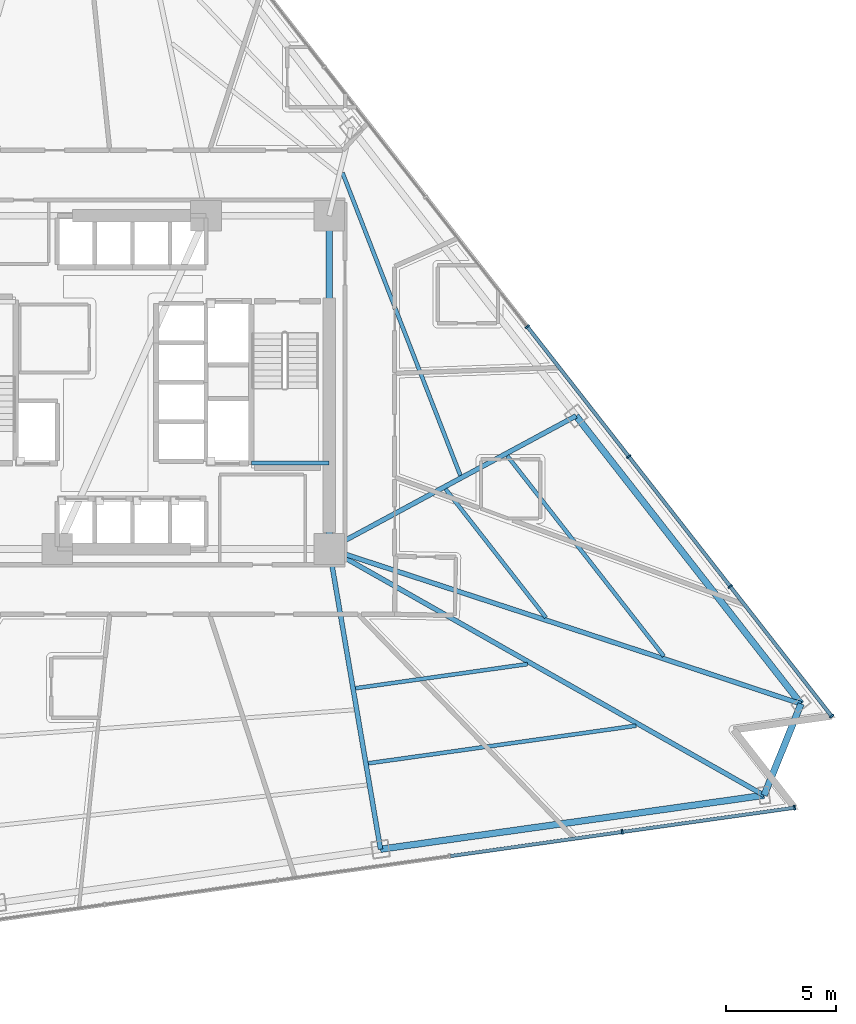
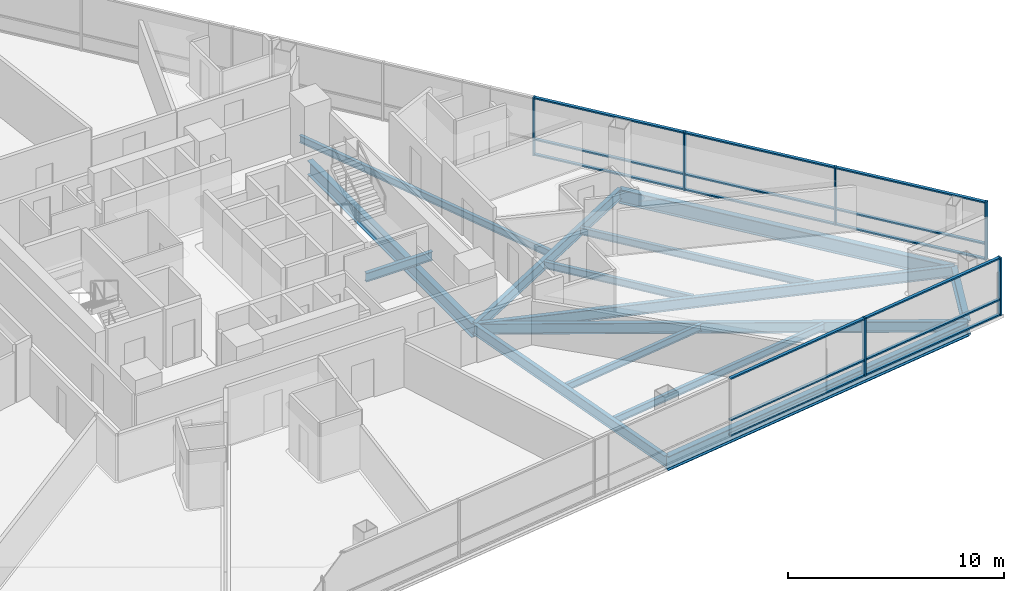
# One storey, part 4 of 15: 21 members, 14 beams, 2 elements without a shape of their own.
"""IFC4 building model written with IfcOpenShell, lengths in metres."""

from ifc_helpers import new_model, si_unit, direction, frame, origin, origin_2d, place, context, subcontext, project, spatial, rectangle, i_section, extrude, material, layer, layer_set, material_profile, profile_set, type_object, element, aggregate, save


model = new_model("IFC4")

# Units and contexts
model_context = context("Model", 3, precision=1e-05, world=origin(), true_north=direction((0.0, 1.0)))
body_context = subcontext(model_context, "Body", "Model", "MODEL_VIEW")
ifc_project = project(units=[si_unit("LENGTHUNIT", "METRE"), si_unit("AREAUNIT", "SQUARE_METRE"), si_unit("VOLUMEUNIT", "CUBIC_METRE"), si_unit("PLANEANGLEUNIT", "RADIAN"), si_unit("MASSUNIT", "GRAM", prefix="KILO")], contexts=[model_context])

# Site, building, storey
site_placement = place(None, origin())
site = spatial("IfcSite", under=ifc_project, at=site_placement, CompositionType="ELEMENT")
building_placement = place(site_placement, origin())
building = spatial("IfcBuilding", under=site, at=building_placement, Name="Tharavind Bronze Gate", CompositionType="ELEMENT")
storey_placement = place(building_placement, frame((0.0, 0.0, 63.85009765625)))
storey = spatial("IfcBuildingStorey", under=building, at=storey_placement, Name="L15", CompositionType="ELEMENT", Elevation=63.85009765625)

# Curtain wall, members
ifc_material_1 = material(Name="Anodised Bronze Aluminium", Category="aluminium")
ifc_layer = layer(ifc_material_1, 0.219970703125)
ifc_layer_set = layer_set([ifc_layer], Name="Anodised Bronze Aluminium")
curtain_wall_type = type_object("IfcCurtainWallType", Name="UNITISED CURTAIN WALL HOTEL", PredefinedType="USERDEFINED", material=ifc_layer_set)
curtain_wall_1_placement = place(storey_placement, origin())
curtain_wall_1 = element("IfcCurtainWall", 1, at=curtain_wall_1_placement, inside=storey, type_object=curtain_wall_type, Name="L15 unitised curtain wall hotel CW-L15-S2", ObjectType="UNITISED CURTAIN WALL", PredefinedType="USERDEFINED")
member_type_1 = type_object("IfcMemberType", Name="CURTAIN WALL MULLION 80X220", PredefinedType="MULLION", material=ifc_material_1)
member_1_placement = place(storey_placement, frame((22.261474609375, -20.504638671875, 0.0), z_axis=(0.0, 0.0, 1.0), x_axis=(0.990268068742, 0.13917310096, 0.0)))
member_1 = element("IfcMember", 2, at=member_1_placement, type_object=member_type_1, Name="CW-L15-S2 mullion 7", PredefinedType="MULLION", context=body_context, shape_type="SweptSolid", body=[
    extrude(rectangle(XDim=0.080078125, YDim=0.219970703125, at=origin_2d()), origin(), (0.0, 0.0, 1.0), 3.27490234375),
])
member_2_placement = place(storey_placement, frame((30.127685546875, -19.399169921875, 0.0), z_axis=(0.0, 0.0, 1.0), x_axis=(0.990268068742, 0.13917310096, 0.0)))
member_2 = element("IfcMember", 3, at=member_2_placement, type_object=member_type_1, Name="CW-L15-S2 mullion 8", PredefinedType="MULLION", context=body_context, shape_type="SweptSolid", body=[
    extrude(rectangle(XDim=0.080078125, YDim=0.219970703125, at=origin_2d()), origin(), (0.0, 0.0, 1.0), 3.27490234375),
])

curtain_wall_2_placement = place(storey_placement, origin())
curtain_wall_2 = element("IfcCurtainWall", 4, at=curtain_wall_2_placement, inside=storey, type_object=curtain_wall_type, Name="L15 unitised curtain wall hotel CW-L15-S3", ObjectType="UNITISED CURTAIN WALL", PredefinedType="USERDEFINED")
member_3_placement = place(storey_placement, frame((31.8134765625, -15.226806640625, 0.0), z_axis=(0.0, 0.0, 1.0), x_axis=(-0.615661475326, 0.788010753607, 0.0)))
member_3 = element("IfcMember", 5, at=member_3_placement, type_object=member_type_1, Name="CW-L15-S3 mullion 1", PredefinedType="MULLION", context=body_context, shape_type="SweptSolid", body=[
    extrude(rectangle(XDim=0.080078125, YDim=0.219970703125, at=origin_2d()), origin(), (0.0, 0.0, 1.0), 3.27490234375),
])
member_4_placement = place(storey_placement, frame((27.186767578125, -9.3046875, 0.0), z_axis=(0.0, 0.0, 1.0), x_axis=(-0.615661475326, 0.788010753607, 0.0)))
member_4 = element("IfcMember", 6, at=member_4_placement, type_object=member_type_1, Name="CW-L15-S3 mullion 2", PredefinedType="MULLION", context=body_context, shape_type="SweptSolid", body=[
    extrude(rectangle(XDim=0.080078125, YDim=0.219970703125, at=origin_2d()), origin(), (0.0, 0.0, 1.0), 3.27490234375),
])
member_5_placement = place(storey_placement, frame((22.56005859375, -3.3828125, 0.0), z_axis=(0.0, 0.0, 1.0), x_axis=(-0.615661475326, 0.788010753607, 0.0)))
member_5 = element("IfcMember", 7, at=member_5_placement, type_object=member_type_1, Name="CW-L15-S3 mullion 3", PredefinedType="MULLION", context=body_context, shape_type="SweptSolid", body=[
    extrude(rectangle(XDim=0.080078125, YDim=0.219970703125, at=origin_2d()), origin(), (0.0, 0.0, 1.0), 3.27490234375),
])
member_6_placement = place(storey_placement, frame((17.933349609375, 2.5390625, 0.0), z_axis=(0.0, 0.0, 1.0), x_axis=(-0.615661475326, 0.788010753607, 0.0)))
member_6 = element("IfcMember", 8, at=member_6_placement, type_object=member_type_1, Name="CW-L15-S3 mullion 4", PredefinedType="MULLION", context=body_context, shape_type="SweptSolid", body=[
    extrude(rectangle(XDim=0.080078125, YDim=0.219970703125, at=origin_2d()), origin(), (0.0, 0.0, 1.0), 3.27490234375),
])

# Member
member_type_2 = type_object("IfcMemberType", Name="CURTAIN WALL TRANSOM 80X160", PredefinedType="USERDEFINED", material=ifc_material_1)
member_7_placement = place(storey_placement, frame((18.328369140625, -21.057373046875, -0.000244140625), z_axis=(0.0, 0.0, 1.0), x_axis=(0.990268068742, 0.13917310096, 0.0)))
member_7 = element("IfcMember", 9, at=member_7_placement, type_object=member_type_2, Name="CW-L15-S2 transom TB6", ObjectType="TRANSOM", PredefinedType="USERDEFINED", context=body_context, shape_type="SweptSolid", body=[
    extrude(rectangle(XDim=7.87548828125, YDim=0.159912109375, at=origin_2d()), origin(), (0.0, 0.0, 1.0), 0.080078125),
])

member_8_placement = place(storey_placement, frame((18.328369140625, -21.057373046875, 0.85986328125), z_axis=(0.0, 0.0, 1.0), x_axis=(0.990268068742, 0.13917310096, 0.0)))
member_8 = element("IfcMember", 10, at=member_8_placement, type_object=member_type_2, Name="CW-L15-S2 transom TS6", ObjectType="TRANSOM", PredefinedType="USERDEFINED", context=body_context, shape_type="SweptSolid", body=[
    extrude(rectangle(XDim=7.87548828125, YDim=0.159912109375, at=origin_2d()), origin(), (0.0, 0.0, 1.0), 0.080078125),
])

member_9_placement = place(storey_placement, frame((18.328369140625, -21.057373046875, 3.19482421875), z_axis=(0.0, 0.0, 1.0), x_axis=(0.990268068742, 0.13917310096, 0.0)))
member_9 = element("IfcMember", 11, at=member_9_placement, type_object=member_type_2, Name="CW-L15-S2 transom TT6", ObjectType="TRANSOM", PredefinedType="USERDEFINED", context=body_context, shape_type="SweptSolid", body=[
    extrude(rectangle(XDim=7.87548828125, YDim=0.159912109375, at=origin_2d()), origin(), (0.0, 0.0, 1.0), 0.080078125),
])

member_10_placement = place(storey_placement, frame((26.194580078125, -19.951904296875, -0.000244140625), z_axis=(0.0, 0.0, 1.0), x_axis=(0.990268068742, 0.13917310096, 0.0)))
member_10 = element("IfcMember", 12, at=member_10_placement, type_object=member_type_2, Name="CW-L15-S2 transom TB7", ObjectType="TRANSOM", PredefinedType="USERDEFINED", context=body_context, shape_type="SweptSolid", body=[
    extrude(rectangle(XDim=7.87548828125, YDim=0.159912109375, at=origin_2d()), origin(), (0.0, 0.0, 1.0), 0.080078125),
])

member_11_placement = place(storey_placement, frame((26.194580078125, -19.951904296875, 0.85986328125), z_axis=(0.0, 0.0, 1.0), x_axis=(0.990268068742, 0.13917310096, 0.0)))
member_11 = element("IfcMember", 13, at=member_11_placement, type_object=member_type_2, Name="CW-L15-S2 transom TS7", ObjectType="TRANSOM", PredefinedType="USERDEFINED", context=body_context, shape_type="SweptSolid", body=[
    extrude(rectangle(XDim=7.87548828125, YDim=0.159912109375, at=origin_2d()), origin(), (0.0, 0.0, 1.0), 0.080078125),
])

member_12_placement = place(storey_placement, frame((26.194580078125, -19.951904296875, 3.19482421875), z_axis=(0.0, 0.0, 1.0), x_axis=(0.990268068742, 0.13917310096, 0.0)))
member_12 = element("IfcMember", 14, at=member_12_placement, type_object=member_type_2, Name="CW-L15-S2 transom TT7", ObjectType="TRANSOM", PredefinedType="USERDEFINED", context=body_context, shape_type="SweptSolid", body=[
    extrude(rectangle(XDim=7.87548828125, YDim=0.159912109375, at=origin_2d()), origin(), (0.0, 0.0, 1.0), 0.080078125),
])

aggregate(curtain_wall_1, [member_1, member_2, member_7, member_8, member_9, member_10, member_11, member_12])

member_13_placement = place(storey_placement, frame((29.5, -12.265869140625, -0.000244140625), z_axis=(0.0, 0.0, 1.0), x_axis=(-0.615661475326, 0.788010753607, 0.0)))
member_13 = element("IfcMember", 15, at=member_13_placement, type_object=member_type_2, Name="CW-L15-S3 transom TB1", ObjectType="TRANSOM", PredefinedType="USERDEFINED", context=body_context, shape_type="SweptSolid", body=[
    extrude(rectangle(XDim=7.447021484375, YDim=0.159912109375, at=origin_2d()), origin(), (0.0, 0.0, 1.0), 0.080078125),
])

member_14_placement = place(storey_placement, frame((29.5, -12.265869140625, 0.85986328125), z_axis=(0.0, 0.0, 1.0), x_axis=(-0.615661475326, 0.788010753607, 0.0)))
member_14 = element("IfcMember", 16, at=member_14_placement, type_object=member_type_2, Name="CW-L15-S3 transom TS1", ObjectType="TRANSOM", PredefinedType="USERDEFINED", context=body_context, shape_type="SweptSolid", body=[
    extrude(rectangle(XDim=7.447021484375, YDim=0.159912109375, at=origin_2d()), origin(), (0.0, 0.0, 1.0), 0.080078125),
])

member_15_placement = place(storey_placement, frame((29.5, -12.265869140625, 3.19482421875), z_axis=(0.0, 0.0, 1.0), x_axis=(-0.615661475326, 0.788010753607, 0.0)))
member_15 = element("IfcMember", 17, at=member_15_placement, type_object=member_type_2, Name="CW-L15-S3 transom TT1", ObjectType="TRANSOM", PredefinedType="USERDEFINED", context=body_context, shape_type="SweptSolid", body=[
    extrude(rectangle(XDim=7.447021484375, YDim=0.159912109375, at=origin_2d()), origin(), (0.0, 0.0, 1.0), 0.080078125),
])

member_16_placement = place(storey_placement, frame((24.873291015625, -6.343994140625, -0.000244140625), z_axis=(0.0, 0.0, 1.0), x_axis=(-0.615661475326, 0.788010753607, 0.0)))
member_16 = element("IfcMember", 18, at=member_16_placement, type_object=member_type_2, Name="CW-L15-S3 transom TB2", ObjectType="TRANSOM", PredefinedType="USERDEFINED", context=body_context, shape_type="SweptSolid", body=[
    extrude(rectangle(XDim=7.447021484375, YDim=0.159912109375, at=origin_2d()), origin(), (0.0, 0.0, 1.0), 0.080078125),
])

member_17_placement = place(storey_placement, frame((24.873291015625, -6.343994140625, 0.85986328125), z_axis=(0.0, 0.0, 1.0), x_axis=(-0.615661475326, 0.788010753607, 0.0)))
member_17 = element("IfcMember", 19, at=member_17_placement, type_object=member_type_2, Name="CW-L15-S3 transom TS2", ObjectType="TRANSOM", PredefinedType="USERDEFINED", context=body_context, shape_type="SweptSolid", body=[
    extrude(rectangle(XDim=7.447021484375, YDim=0.159912109375, at=origin_2d()), origin(), (0.0, 0.0, 1.0), 0.080078125),
])

member_18_placement = place(storey_placement, frame((24.873291015625, -6.343994140625, 3.19482421875), z_axis=(0.0, 0.0, 1.0), x_axis=(-0.615661475326, 0.788010753607, 0.0)))
member_18 = element("IfcMember", 20, at=member_18_placement, type_object=member_type_2, Name="CW-L15-S3 transom TT2", ObjectType="TRANSOM", PredefinedType="USERDEFINED", context=body_context, shape_type="SweptSolid", body=[
    extrude(rectangle(XDim=7.447021484375, YDim=0.159912109375, at=origin_2d()), origin(), (0.0, 0.0, 1.0), 0.080078125),
])

member_19_placement = place(storey_placement, frame((20.24658203125, -0.421875, -0.000244140625), z_axis=(0.0, 0.0, 1.0), x_axis=(-0.615661475326, 0.788010753607, 0.0)))
member_19 = element("IfcMember", 21, at=member_19_placement, type_object=member_type_2, Name="CW-L15-S3 transom TB3", ObjectType="TRANSOM", PredefinedType="USERDEFINED", context=body_context, shape_type="SweptSolid", body=[
    extrude(rectangle(XDim=7.447021484375, YDim=0.159912109375, at=origin_2d()), origin(), (0.0, 0.0, 1.0), 0.080078125),
])

member_20_placement = place(storey_placement, frame((20.24658203125, -0.421875, 0.85986328125), z_axis=(0.0, 0.0, 1.0), x_axis=(-0.615661475326, 0.788010753607, 0.0)))
member_20 = element("IfcMember", 22, at=member_20_placement, type_object=member_type_2, Name="CW-L15-S3 transom TS3", ObjectType="TRANSOM", PredefinedType="USERDEFINED", context=body_context, shape_type="SweptSolid", body=[
    extrude(rectangle(XDim=7.447021484375, YDim=0.159912109375, at=origin_2d()), origin(), (0.0, 0.0, 1.0), 0.080078125),
])

member_21_placement = place(storey_placement, frame((20.24658203125, -0.421875, 3.19482421875), z_axis=(0.0, 0.0, 1.0), x_axis=(-0.615661475326, 0.788010753607, 0.0)))
member_21 = element("IfcMember", 23, at=member_21_placement, type_object=member_type_2, Name="CW-L15-S3 transom TT3", ObjectType="TRANSOM", PredefinedType="USERDEFINED", context=body_context, shape_type="SweptSolid", body=[
    extrude(rectangle(XDim=7.447021484375, YDim=0.159912109375, at=origin_2d()), origin(), (0.0, 0.0, 1.0), 0.080078125),
])

aggregate(curtain_wall_2, [member_3, member_4, member_5, member_6, member_13, member_14, member_15, member_16, member_17, member_18, member_19, member_20, member_21])

# Beams
ifc_material_2 = material(Name="Steel S355", Category="steel")
ifc_material_profile_1 = material_profile(ifc_material_2, i_section(OverallWidth=0.199951171875, OverallDepth=0.5, WebThickness=0.01025390625, FlangeThickness=0.01611328125, at=origin_2d()), Name="IPE500")
ifc_profile_set_1 = profile_set([ifc_material_profile_1], Name="Steel S355")
beam_type_1 = type_object("IfcBeamType", Name="PRIMARY GIRDER IPE500", PredefinedType="USERDEFINED", material=ifc_profile_set_1)
beam_1_placement = place(storey_placement, frame((5.35009765625, -3.679931640625, 1.27490234375), z_axis=(1.0, 0.0, 0.0), x_axis=(0.0, 1.0, 0.0)))
element("IfcBeam", 24, at=beam_1_placement, inside=storey, type_object=beam_type_1, Name="L15 primary girder ipe500 BM-LD-ST2-L15-1", ObjectType="GIRDER", PredefinedType="USERDEFINED", context=body_context, shape_type="SweptSolid", body=[
    extrude(i_section(OverallWidth=0.199951171875, OverallDepth=0.5, WebThickness=0.01025390625, FlangeThickness=0.01611328125, at=origin_2d()), origin(), (0.0, 0.0, 1.0), 3.5498046875),
])
ifc_material_profile_2 = material_profile(ifc_material_2, i_section(OverallWidth=0.219970703125, OverallDepth=0.60009765625, WebThickness=0.011962890625, FlangeThickness=0.01904296875, at=origin_2d()), Name="IPE600")
ifc_profile_set_2 = profile_set([ifc_material_profile_2], Name="Steel S355")
beam_type_2 = type_object("IfcBeamType", Name="PRIMARY GIRDER IPE600", PredefinedType="USERDEFINED", material=ifc_profile_set_2)
beam_2_placement = place(storey_placement, frame((11.23974609375, -21.29638671875, -0.47509765625), z_axis=(-0.168398067653, 0.985719072967, 0.0), x_axis=(-0.985719072967, -0.168398067653, 0.0)))
element("IfcBeam", 25, at=beam_2_placement, inside=storey, type_object=beam_type_2, Name="L15 primary girder ipe600 BM-L15-RAD07", ObjectType="GIRDER", PredefinedType="USERDEFINED", context=body_context, shape_type="SweptSolid", body=[
    extrude(i_section(OverallWidth=0.219970703125, OverallDepth=0.60009765625, WebThickness=0.011962890625, FlangeThickness=0.01904296875, at=origin_2d()), origin(), (0.0, 0.0, 1.0), 13.894775390625),
])
beam_3_placement = place(storey_placement, frame((28.737060546875, -18.837158203125, -0.47509765625), z_axis=(-0.870097351351, 0.492879903396, 0.0), x_axis=(-0.492879903396, -0.870097351351, 0.0)))
element("IfcBeam", 26, at=beam_3_placement, inside=storey, type_object=beam_type_2, Name="L15 primary girder ipe600 BM-L15-RAD08", ObjectType="GIRDER", PredefinedType="USERDEFINED", context=body_context, shape_type="SweptSolid", body=[
    extrude(i_section(OverallWidth=0.219970703125, OverallDepth=0.60009765625, WebThickness=0.011962890625, FlangeThickness=0.01904296875, at=origin_2d()), origin(), (0.0, 0.0, 1.0), 22.798828125),
])
beam_4_placement = place(storey_placement, frame((30.422607421875, -14.664794921875, -0.47509765625), z_axis=(-0.950123985447, 0.311872429494, 0.0), x_axis=(-0.311872429494, -0.950123985447, 0.0)))
element("IfcBeam", 27, at=beam_4_placement, inside=storey, type_object=beam_type_2, Name="L15 primary girder ipe600 BM-L15-RAD09", ObjectType="GIRDER", PredefinedType="USERDEFINED", context=body_context, shape_type="SweptSolid", body=[
    extrude(i_section(OverallWidth=0.219970703125, OverallDepth=0.60009765625, WebThickness=0.011962890625, FlangeThickness=0.01904296875, at=origin_2d()), origin(), (0.0, 0.0, 1.0), 22.652587890625),
])
beam_5_placement = place(storey_placement, frame((20.16015625, -1.529296875, -0.47509765625), z_axis=(-0.880223404357, -0.474559541493, 0.0), x_axis=(0.474559541493, -0.880223404357, 0.0)))
element("IfcBeam", 28, at=beam_5_placement, inside=storey, type_object=beam_type_2, Name="L15 primary girder ipe600 BM-L15-RAD10", ObjectType="GIRDER", PredefinedType="USERDEFINED", context=body_context, shape_type="SweptSolid", body=[
    extrude(i_section(OverallWidth=0.219970703125, OverallDepth=0.60009765625, WebThickness=0.011962890625, FlangeThickness=0.01904296875, at=origin_2d()), origin(), (0.0, 0.0, 1.0), 12.79248046875),
])
ifc_material_profile_3 = material_profile(ifc_material_2, i_section(OverallWidth=0.300048828125, OverallDepth=0.800048828125, WebThickness=0.017578125, FlangeThickness=0.032958984375, at=origin_2d()), Name="HE800B")
ifc_profile_set_3 = profile_set([ifc_material_profile_3], Name="Steel S355")
beam_type_3 = type_object("IfcBeamType", Name="RING GIRDER HE800B", PredefinedType="USERDEFINED", material=ifc_profile_set_3)
beam_6_placement = place(storey_placement, frame((8.89990234375, -7.60009765625, -0.5751953125), z_axis=(0.0, 1.0, 0.0), x_axis=(-1.0, 0.0, 0.0)))
element("IfcBeam", 29, at=beam_6_placement, inside=storey, type_object=beam_type_3, Name="L15 ring girder he800b BM-L15-CR3", ObjectType="GIRDER", PredefinedType="USERDEFINED", context=body_context, shape_type="SweptSolid", body=[
    extrude(i_section(OverallWidth=0.300048828125, OverallDepth=0.800048828125, WebThickness=0.017578125, FlangeThickness=0.032958984375, at=origin_2d()), origin(), (0.0, 0.0, 1.0), 15.2001953125),
])
beam_7_placement = place(storey_placement, frame((11.23974609375, -21.29638671875, -0.5751953125), z_axis=(0.990266966294, 0.13918094506, 0.0), x_axis=(-0.13918094506, 0.990266966294, 0.0)))
element("IfcBeam", 30, at=beam_7_placement, inside=storey, type_object=beam_type_3, Name="L15 ring girder he800b BM-L15-PRG07", ObjectType="GIRDER", PredefinedType="USERDEFINED", context=body_context, shape_type="SweptSolid", body=[
    extrude(i_section(OverallWidth=0.300048828125, OverallDepth=0.800048828125, WebThickness=0.017578125, FlangeThickness=0.032958984375, at=origin_2d()), origin(), (0.0, 0.0, 1.0), 17.669189453125),
])
beam_8_placement = place(storey_placement, frame((28.737060546875, -18.837158203125, -0.5751953125), z_axis=(0.374568898324, 0.927199083481, 0.0), x_axis=(-0.927199083481, 0.374568898324, 0.0)))
element("IfcBeam", 31, at=beam_8_placement, inside=storey, type_object=beam_type_3, Name="L15 ring girder he800b BM-L15-PRG08", ObjectType="GIRDER", PredefinedType="USERDEFINED", context=body_context, shape_type="SweptSolid", body=[
    extrude(i_section(OverallWidth=0.300048828125, OverallDepth=0.800048828125, WebThickness=0.017578125, FlangeThickness=0.032958984375, at=origin_2d()), origin(), (0.0, 0.0, 1.0), 4.5),
])
beam_9_placement = place(storey_placement, frame((30.422607421875, -14.664794921875, -0.5751953125), z_axis=(-0.61565683186, 0.788014381458, 0.0), x_axis=(-0.788014381458, -0.61565683186, 0.0)))
element("IfcBeam", 32, at=beam_9_placement, inside=storey, type_object=beam_type_3, Name="L15 ring girder he800b BM-L15-PRG09", ObjectType="GIRDER", PredefinedType="USERDEFINED", context=body_context, shape_type="SweptSolid", body=[
    extrude(i_section(OverallWidth=0.300048828125, OverallDepth=0.800048828125, WebThickness=0.017578125, FlangeThickness=0.032958984375, at=origin_2d()), origin(), (0.0, 0.0, 1.0), 16.669189453125),
])
ifc_material_profile_4 = material_profile(ifc_material_2, i_section(OverallWidth=0.179931640625, OverallDepth=0.39990234375, WebThickness=0.008544921875, FlangeThickness=0.013427734375, at=origin_2d()), Name="IPE400")
ifc_profile_set_4 = profile_set([ifc_material_profile_4], Name="Steel S355")
beam_type_4 = type_object("IfcBeamType", Name="SECONDARY FLOOR JOIST IPE400", PredefinedType="JOIST", material=ifc_profile_set_4)
beam_10_placement = place(storey_placement, frame((10.100830078125, -13.952880859375, -0.375), z_axis=(0.990270061331, 0.13915892221, 0.0), x_axis=(-0.13915892221, 0.990270061331, 0.0)))
element("IfcBeam", 33, at=beam_10_placement, inside=storey, type_object=beam_type_4, Name="L15 secondary floor joist ipe400 BM-L15-JSTA07", PredefinedType="JOIST", context=body_context, shape_type="SweptSolid", body=[
    extrude(i_section(OverallWidth=0.179931640625, OverallDepth=0.39990234375, WebThickness=0.008544921875, FlangeThickness=0.013427734375, at=origin_2d()), origin(), (0.0, 0.0, 1.0), 7.917724609375),
])
beam_11_placement = place(storey_placement, frame((10.685791015625, -17.376953125, -0.375), z_axis=(0.990269539088, 0.139162638498, 0.0), x_axis=(-0.139162638498, 0.990269539088, 0.0)))
element("IfcBeam", 34, at=beam_11_placement, inside=storey, type_object=beam_type_4, Name="L15 secondary floor joist ipe400 BM-L15-JSTB07", PredefinedType="JOIST", context=body_context, shape_type="SweptSolid", body=[
    extrude(i_section(OverallWidth=0.179931640625, OverallDepth=0.39990234375, WebThickness=0.008544921875, FlangeThickness=0.013427734375, at=origin_2d()), origin(), (0.0, 0.0, 1.0), 12.3349609375),
])
beam_12_placement = place(storey_placement, frame((18.783935546875, -10.726318359375, -0.375), z_axis=(-0.615658063003, 0.788013419593, 0.0), x_axis=(-0.788013419593, -0.615658063003, 0.0)))
element("IfcBeam", 35, at=beam_12_placement, inside=storey, type_object=beam_type_4, Name="L15 secondary floor joist ipe400 BM-L15-JSTA09", PredefinedType="JOIST", context=body_context, shape_type="SweptSolid", body=[
    extrude(i_section(OverallWidth=0.179931640625, OverallDepth=0.39990234375, WebThickness=0.008544921875, FlangeThickness=0.013427734375, at=origin_2d()), origin(), (0.0, 0.0, 1.0), 7.433837890625),
])
beam_13_placement = place(storey_placement, frame((24.16455078125, -12.492431640625, -0.375), z_axis=(-0.61565833532, 0.788013206838, 0.0), x_axis=(-0.788013206838, -0.61565833532, 0.0)))
element("IfcBeam", 36, at=beam_13_placement, inside=storey, type_object=beam_type_4, Name="L15 secondary floor joist ipe400 BM-L15-JSTB09", PredefinedType="JOIST", context=body_context, shape_type="SweptSolid", body=[
    extrude(i_section(OverallWidth=0.179931640625, OverallDepth=0.39990234375, WebThickness=0.008544921875, FlangeThickness=0.013427734375, at=origin_2d()), origin(), (0.0, 0.0, 1.0), 11.60107421875),
])
beam_14_placement = place(storey_placement, frame((14.882568359375, -4.2451171875, -0.375), z_axis=(-0.362958255352, 0.931805400753, 0.0), x_axis=(-0.931805400753, -0.362958255352, 0.0)))
element("IfcBeam", 37, at=beam_14_placement, inside=storey, type_object=beam_type_4, Name="L15 secondary floor joist ipe400 BM-L15-JSTA10", PredefinedType="JOIST", context=body_context, shape_type="SweptSolid", body=[
    extrude(i_section(OverallWidth=0.179931640625, OverallDepth=0.39990234375, WebThickness=0.008544921875, FlangeThickness=0.013427734375, at=origin_2d()), origin(), (0.0, 0.0, 1.0), 14.817626953125),
])

save(model, "model.ifc")
